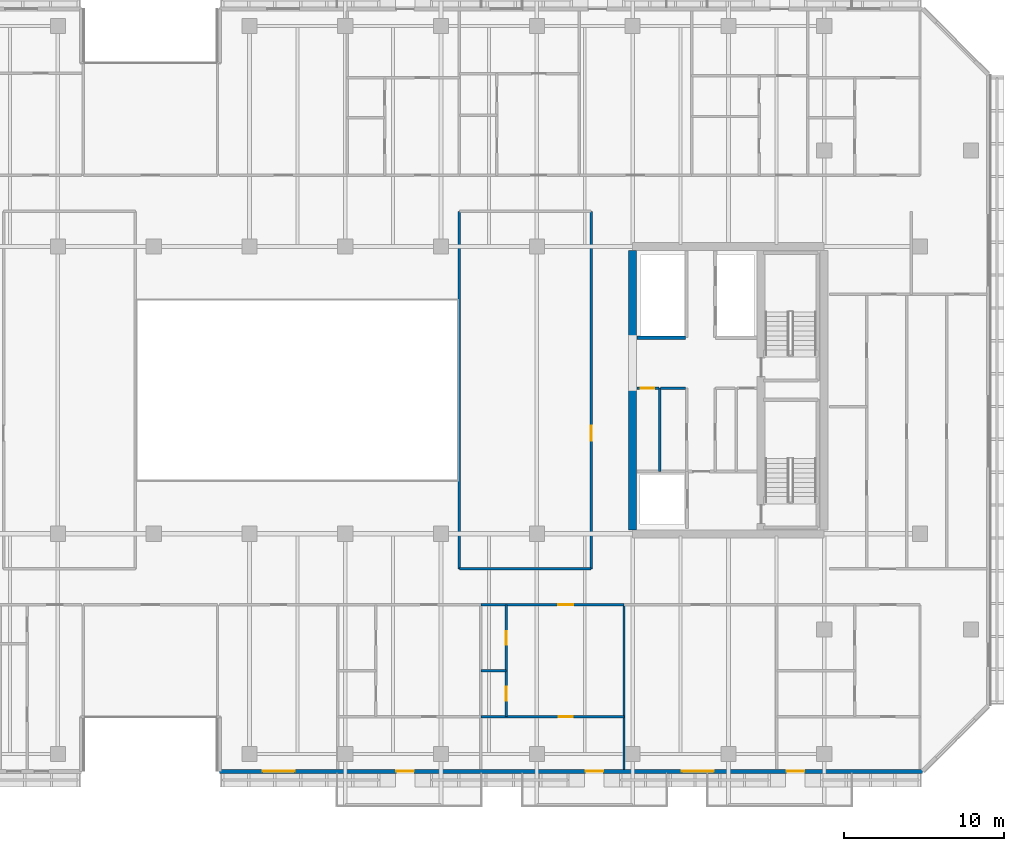
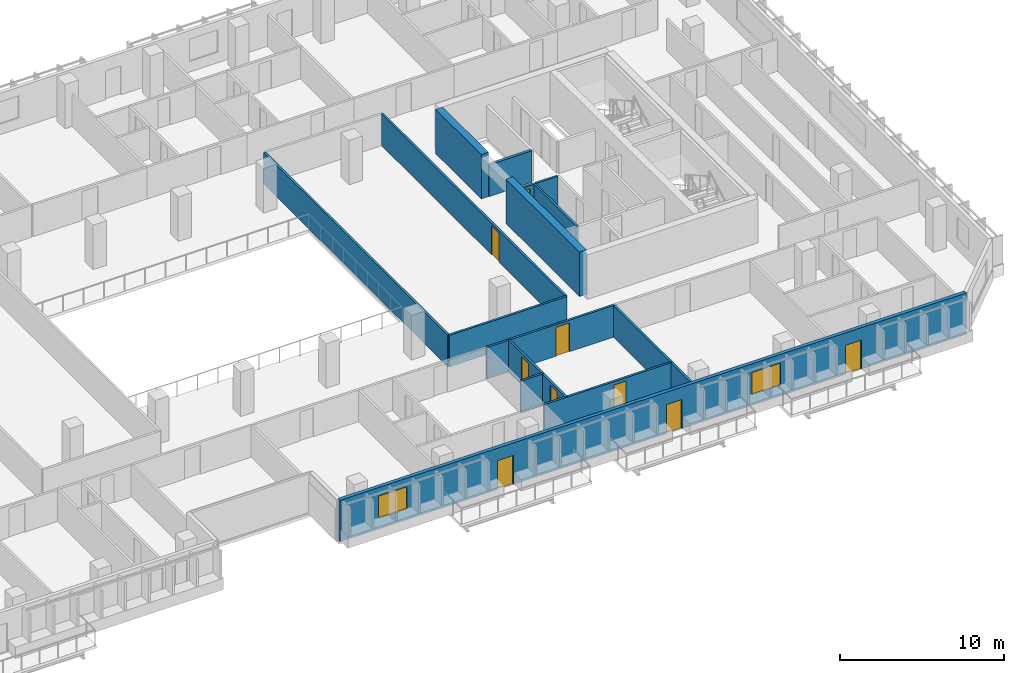
# One storey, part 12 of 23: 15 walls, 9 doors, 2 windows, 11 openings.
"""IFC4 building model written with IfcOpenShell, lengths in metres."""

from ifc_helpers import new_model, si_unit, direction, frame, frame_2d, origin, place, context, subcontext, project, spatial, rectangle, extrude, material, layer, layer_set, type_object, element, fill, save


model = new_model("IFC4")

# Units and contexts
model_context = context("Model", 3, precision=1e-05, world=origin(), true_north=direction((0.0, 1.0)))
body_context = subcontext(model_context, "Body", "Model", "MODEL_VIEW")
ifc_project = project(units=[si_unit("LENGTHUNIT", "METRE"), si_unit("AREAUNIT", "SQUARE_METRE"), si_unit("VOLUMEUNIT", "CUBIC_METRE"), si_unit("PLANEANGLEUNIT", "RADIAN"), si_unit("MASSUNIT", "GRAM", prefix="KILO")], contexts=[model_context])

# Site, building, storey
site_placement = place(None, origin())
site = spatial("IfcSite", under=ifc_project, at=site_placement, CompositionType="ELEMENT")
building_placement = place(site_placement, origin())
building = spatial("IfcBuilding", under=site, at=building_placement, Name="Tanjung Sevakor Pilgrim Tower", CompositionType="ELEMENT")
storey_placement = place(building_placement, frame((0.0, 0.0, 105.27001953125)))
storey = spatial("IfcBuildingStorey", under=building, at=storey_placement, Name="L29", CompositionType="ELEMENT", Elevation=105.27001953125)

# Walls
ifc_material_1 = material(Name="Concrete C60/75", Category="concrete")
ifc_layer_1 = layer(ifc_material_1, 0.5)
ifc_layer_set_1 = layer_set([ifc_layer_1], Name="WALL-CW-500")
wall_type_1 = type_object("IfcWallType", Name="WALL-CW-500", PredefinedType="SHEAR", material=ifc_layer_set_1)
wall_1_placement = place(storey_placement, frame((78.0, 24.85009765625, 0.0), z_axis=(0.0, 0.0, 1.0), x_axis=(0.0, 1.0, 0.0)))
element("IfcWall", 1, at=wall_1_placement, inside=storey, type_object=wall_type_1, Name="L29 E Core Inner Shear Wall South", PredefinedType="SHEAR", context=body_context, shape_type="SweptSolid", body=[
    extrude(rectangle(XDim=8.949951171875, YDim=0.5, at=frame_2d((4.47509765625, 0.0))), origin(), (0.0, 0.0, 1.0), 3.300048828125),
])
wall_2_placement = place(storey_placement, frame((78.0, 36.800048828125, 0.0), z_axis=(0.0, 0.0, 1.0), x_axis=(0.0, 1.0, 0.0)))
element("IfcWall", 2, at=wall_2_placement, inside=storey, type_object=wall_type_1, Name="L29 E Core Inner Shear Wall North", PredefinedType="SHEAR", context=body_context, shape_type="SweptSolid", body=[
    extrude(rectangle(XDim=5.550048828125, YDim=0.5, at=frame_2d((2.77490234375, 0.0))), origin(), (0.0, 0.0, 1.0), 3.300048828125),
])
ifc_material_2 = material(Name="Concrete C40/50", Category="concrete")
ifc_layer_2 = layer(ifc_material_2, 0.14990234375)
ifc_layer_set_2 = layer_set([ifc_layer_2], Name="WT-COMP-150")
wall_type_2 = type_object("IfcWallType", Name="WT-COMP-150", PredefinedType="SOLIDWALL", material=ifc_layer_set_2)
wall_3_placement = place(storey_placement, frame((79.699951171875, 28.5, 0.0), z_axis=(0.0, 0.0, 1.0), x_axis=(0.0, 1.0, 0.0)))
element("IfcWall", 3, at=wall_3_placement, inside=storey, type_object=wall_type_2, Name="L29 Partition IW-L29-021", PredefinedType="SOLIDWALL", context=body_context, shape_type="SweptSolid", body=[
    extrude(rectangle(XDim=5.219970703125, YDim=0.14990234375, at=frame_2d((2.60986328125, 0.0))), origin(), (0.0, 0.0, 1.0), 2.35009765625),
])
wall_4_placement = place(storey_placement, frame((79.760009765625, 33.719970703125, 0.0), z_axis=(0.0, 0.0, 1.0), x_axis=(1.0, 0.0, 0.0)))
element("IfcWall", 4, at=wall_4_placement, inside=storey, type_object=wall_type_2, Name="L29 Partition IW-L29-022", PredefinedType="SOLIDWALL", context=body_context, shape_type="SweptSolid", body=[
    extrude(rectangle(XDim=1.56005859375, YDim=0.14990234375, at=frame_2d((0.780029296875, 0.0))), origin(), (0.0, 0.0, 1.0), 2.35009765625),
])

# Wall, opening, door
wall_5_placement = place(storey_placement, frame((78.27001953125, 33.719970703125, 0.0), z_axis=(0.0, 0.0, 1.0), x_axis=(1.0, 0.0, 0.0)))
wall_5 = element("IfcWall", 5, at=wall_5_placement, inside=storey, type_object=wall_type_2, Name="L29 Partition IW-L29-023", PredefinedType="SOLIDWALL", context=body_context, shape_type="SweptSolid", body=[
    extrude(rectangle(XDim=1.369873046875, YDim=0.14990234375, at=frame_2d((0.68505859375, 0.0))), origin(), (0.0, 0.0, 1.0), 2.35009765625),
])
opening_1_placement = place(wall_5_placement, frame((0.239990234375, 0.0, 0.0)))
opening_1 = element("IfcOpeningElement", 6, at=opening_1_placement, cuts=wall_5, Name="Opening ID-FD3", PredefinedType="OPENING", context=body_context, shape_type="SweptSolid", body=[
    extrude(rectangle(XDim=0.85009765625, YDim=2.10009765625, at=frame_2d((0.425048828125, 1.050048828125))), frame((0.0, 0.0849609375, 0.0), z_axis=(0.0, -1.0, 0.0), x_axis=(1.0, 0.0, 0.0)), (0.0, 0.0, 1.0), 0.169921875),
])
ifc_material_3 = material(Name="Fire-Rated Timber", Category="wood")
door_type_1 = type_object("IfcDoorType", Name="DT-FIRE-850", OperationType="NOTDEFINED", PredefinedType="DOOR", material=ifc_material_3)
door_1_placement = place(opening_1_placement, origin())
door_1 = element("IfcDoor", 7, at=door_1_placement, inside=storey, type_object=door_type_1, Name="L29 Service Store Door", OperationType="SINGLE_SWING_LEFT", OverallHeight=2.10009765625, OverallWidth=0.85009765625, PredefinedType="DOOR", context=body_context, shape_type="SweptSolid", body=[
    extrude(rectangle(XDim=0.85009765625, YDim=2.10009765625, at=frame_2d((0.425048828125, 1.050048828125))), frame((0.0, 0.02490234375, 0.0), z_axis=(0.0, -1.0, 0.0), x_axis=(1.0, 0.0, 0.0)), (0.0, 0.0, 1.0), 0.050048828125),
])
fill(opening_1, door_1)

# Walls
wall_6_placement = place(storey_placement, frame((67.14990234375, 22.39990234375, 0.0), z_axis=(0.0, 0.0, 1.0), x_axis=(1.0, 0.0, 0.0)))
element("IfcWall", 8, at=wall_6_placement, inside=storey, type_object=wall_type_2, Name="L29 Partition IW-L29-033", PredefinedType="SOLIDWALL", context=body_context, shape_type="SweptSolid", body=[
    extrude(rectangle(XDim=8.25, YDim=0.14990234375, at=frame_2d((4.125, 0.0))), origin(), (0.0, 0.0, 1.0), 2.35009765625),
])
wall_7_placement = place(storey_placement, frame((67.14990234375, 22.39990234375, 0.0), z_axis=(0.0, 0.0, 1.0), x_axis=(0.0, 1.0, 0.0)))
element("IfcWall", 9, at=wall_7_placement, inside=storey, type_object=wall_type_2, Name="L29 Partition IW-L29-035", PredefinedType="SOLIDWALL", context=body_context, shape_type="SweptSolid", body=[
    extrude(rectangle(XDim=22.400146484375, YDim=0.14990234375, at=frame_2d((11.2001953125, 0.0))), origin(), (0.0, 0.0, 1.0), 2.35009765625),
])

# Wall, opening, door
wall_8_placement = place(storey_placement, frame((75.39990234375, 22.39990234375, 0.0), z_axis=(0.0, 0.0, 1.0), x_axis=(0.0, 1.0, 0.0)))
wall_8 = element("IfcWall", 10, at=wall_8_placement, inside=storey, type_object=wall_type_2, Name="L29 Partition IW-L29-036", PredefinedType="SOLIDWALL", context=body_context, shape_type="SweptSolid", body=[
    extrude(rectangle(XDim=22.400146484375, YDim=0.14990234375, at=frame_2d((11.2001953125, 0.0))), origin(), (0.0, 0.0, 1.0), 2.35009765625),
])
opening_2_placement = place(wall_8_placement, frame((8.02490234375, 0.0, 0.0)))
opening_2 = element("IfcOpeningElement", 11, at=opening_2_placement, cuts=wall_8, Name="Opening ID-RM1", PredefinedType="OPENING", context=body_context, shape_type="SweptSolid", body=[
    extrude(rectangle(XDim=0.949951171875, YDim=2.14990234375, at=frame_2d((0.47509765625, 1.074951171875))), frame((0.0, 0.0849609375, 0.0), z_axis=(0.0, -1.0, 0.0), x_axis=(1.0, 0.0, 0.0)), (0.0, 0.0, 1.0), 0.169921875),
])
ifc_material_4 = material(Name="Hardwood Timber", Category="wood")
door_type_2 = type_object("IfcDoorType", Name="DT-INT-950", OperationType="NOTDEFINED", PredefinedType="DOOR", material=ifc_material_4)
door_2_placement = place(opening_2_placement, origin())
door_2 = element("IfcDoor", 12, at=door_2_placement, inside=storey, type_object=door_type_2, Name="L29 Central East Room Door", OperationType="SINGLE_SWING_RIGHT", OverallHeight=2.14990234375, OverallWidth=0.949951171875, PredefinedType="DOOR", context=body_context, shape_type="SweptSolid", body=[
    extrude(rectangle(XDim=0.949951171875, YDim=2.14990234375, at=frame_2d((0.47509765625, 1.074951171875))), frame((0.0, 0.02490234375, 0.0), z_axis=(0.0, -1.0, 0.0), x_axis=(1.0, 0.0, 0.0)), (0.0, 0.0, 1.0), 0.050048828125),
])
fill(opening_2, door_2)

# Wall
wall_9_placement = place(storey_placement, frame((77.458984375, 9.85009765625, 0.0), z_axis=(0.0, 0.0, 1.0), x_axis=(0.0, 1.0, 0.0)))
element("IfcWall", 13, at=wall_9_placement, inside=storey, type_object=wall_type_2, Name="L29 Partition IW-L29-069", PredefinedType="SOLIDWALL", context=body_context, shape_type="SweptSolid", body=[
    extrude(rectangle(XDim=10.2998046875, YDim=0.14990234375, at=frame_2d((5.14990234375, 0.0))), origin(), (0.0, 0.0, 1.0), 2.35009765625),
])

# Wall, opening, door
wall_10_placement = place(storey_placement, frame((68.497802734375, 20.14990234375, 0.0), z_axis=(0.0, 0.0, 1.0), x_axis=(1.0, 0.0, 0.0)))
wall_10 = element("IfcWall", 14, at=wall_10_placement, inside=storey, type_object=wall_type_2, Name="L29 Partition IW-L29-073", PredefinedType="SOLIDWALL", context=body_context, shape_type="SweptSolid", body=[
    extrude(rectangle(XDim=8.961181640625, YDim=0.14990234375, at=frame_2d((4.48046875, 0.0))), origin(), (0.0, 0.0, 1.0), 2.35009765625),
])
opening_3_placement = place(wall_10_placement, frame((4.8369140625, 0.0, 0.0)))
opening_3 = element("IfcOpeningElement", 15, at=opening_3_placement, cuts=wall_10, Name="Opening ID-FD2", PredefinedType="OPENING", context=body_context, shape_type="SweptSolid", body=[
    extrude(rectangle(XDim=0.949951171875, YDim=2.14990234375, at=frame_2d((0.47509765625, 1.074951171875))), frame((0.0, 0.0849609375, 0.0), z_axis=(0.0, -1.0, 0.0), x_axis=(1.0, 0.0, 0.0)), (0.0, 0.0, 1.0), 0.169921875),
])
ifc_material_5 = material(Name="Fire-Rated Timber", Category="wood")
door_type_3 = type_object("IfcDoorType", Name="DT-FIRE-950", OperationType="NOTDEFINED", PredefinedType="DOOR", material=ifc_material_5)
door_3_placement = place(opening_3_placement, origin())
door_3 = element("IfcDoor", 16, at=door_3_placement, inside=storey, type_object=door_type_3, Name="Residence Entrance", OperationType="SINGLE_SWING_LEFT", OverallHeight=2.14990234375, OverallWidth=0.949951171875, PredefinedType="DOOR", context=body_context, shape_type="SweptSolid", body=[
    extrude(rectangle(XDim=0.949951171875, YDim=2.14990234375, at=frame_2d((0.47509765625, 1.074951171875))), frame((0.0, 0.02490234375, 0.0), z_axis=(0.0, -1.0, 0.0), x_axis=(1.0, 0.0, 0.0)), (0.0, 0.0, 1.0), 0.050048828125),
])
fill(opening_3, door_3)

# Wall, openings, doors, windows
ifc_material_6 = material(Name="Precast concrete C45/55", Category="concrete")
ifc_layer_3 = layer(ifc_material_6, 0.25)
ifc_layer_set_3 = layer_set([ifc_layer_3], Name="WT-EW-STN3")
wall_type_3 = type_object("IfcWallType", Name="WT-EW-STN3", PredefinedType="SOLIDWALL", material=ifc_layer_set_3)
wall_11_placement = place(storey_placement, frame((52.125, 9.72509765625, 0.0), z_axis=(0.0, 0.0, 1.0), x_axis=(1.0, 0.0, 0.0)))
wall_11 = element("IfcWall", 17, at=wall_11_placement, inside=storey, type_object=wall_type_3, Name="L29 MAIN Exterior Wall 5", PredefinedType="SOLIDWALL", context=body_context, shape_type="SweptSolid", body=[
    extrude(rectangle(XDim=44.023193359375, YDim=0.25, at=frame_2d((22.01171875, 0.0))), origin(), (0.0, 0.0, 1.0), 3.080078125),
])
opening_4_placement = place(wall_11_placement, frame((11.074951171875, 0.0, 0.0)))
opening_4 = element("IfcOpeningElement", 18, at=opening_4_placement, cuts=wall_11, Name="Opening ED-BAL-1100", PredefinedType="OPENING", context=body_context, shape_type="SweptSolid", body=[
    extrude(rectangle(XDim=1.10009765625, YDim=2.14990234375, at=frame_2d((0.550048828125, 1.074951171875))), frame((0.0, 0.135009765625, 0.0), z_axis=(0.0, -1.0, 0.0), x_axis=(1.0, 0.0, 0.0)), (0.0, 0.0, 1.0), 0.27001953125),
])
opening_5_placement = place(wall_11_placement, frame((22.925048828125, 0.0, 0.0)))
opening_5 = element("IfcOpeningElement", 19, at=opening_5_placement, cuts=wall_11, Name="Opening ED-BAL-1100", PredefinedType="OPENING", context=body_context, shape_type="SweptSolid", body=[
    extrude(rectangle(XDim=1.10009765625, YDim=2.14990234375, at=frame_2d((0.550048828125, 1.074951171875))), frame((0.0, 0.135009765625, 0.0), z_axis=(0.0, -1.0, 0.0), x_axis=(1.0, 0.0, 0.0)), (0.0, 0.0, 1.0), 0.27001953125),
])
opening_6_placement = place(wall_11_placement, frame((35.52490234375, 0.0, 0.0)))
opening_6 = element("IfcOpeningElement", 20, at=opening_6_placement, cuts=wall_11, Name="Opening ED-BAL-1100", PredefinedType="OPENING", context=body_context, shape_type="SweptSolid", body=[
    extrude(rectangle(XDim=1.10009765625, YDim=2.14990234375, at=frame_2d((0.550048828125, 1.074951171875))), frame((0.0, 0.135009765625, 0.0), z_axis=(0.0, -1.0, 0.0), x_axis=(1.0, 0.0, 0.0)), (0.0, 0.0, 1.0), 0.27001953125),
])
opening_7_placement = place(wall_11_placement, frame((2.703125, 0.0, 0.780029296875)))
opening_7 = element("IfcOpeningElement", 21, at=opening_7_placement, cuts=wall_11, Name="Opening WN-Z2-1660", PredefinedType="OPENING", context=body_context, shape_type="SweptSolid", body=[
    extrude(rectangle(XDim=2.0, YDim=1.659912109375, at=frame_2d((1.0, 0.830078125))), frame((0.0, 0.135009765625, 0.0), z_axis=(0.0, -1.0, 0.0), x_axis=(1.0, 0.0, 0.0)), (0.0, 0.0, 1.0), 0.27001953125),
])
opening_8_placement = place(wall_11_placement, frame((28.9638671875, 0.0, 0.780029296875)))
opening_8 = element("IfcOpeningElement", 22, at=opening_8_placement, cuts=wall_11, Name="Opening WN-Z2-1660", PredefinedType="OPENING", context=body_context, shape_type="SweptSolid", body=[
    extrude(rectangle(XDim=2.0, YDim=1.659912109375, at=frame_2d((1.0, 0.830078125))), frame((0.0, 0.135009765625, 0.0), z_axis=(0.0, -1.0, 0.0), x_axis=(1.0, 0.0, 0.0)), (0.0, 0.0, 1.0), 0.27001953125),
])
ifc_material_7 = material(Name="Anodised Aluminium and Laminated Glass", Category="aluminium")
door_type_4 = type_object("IfcDoorType", Name="DTYP-ED-BAL-1100", OperationType="NOTDEFINED", PredefinedType="DOOR", material=ifc_material_7)
door_4_placement = place(opening_4_placement, frame((1.10009765625, 0.0, 0.0), z_axis=(0.0, 0.0, 1.0), x_axis=(-1.0, 0.0, 0.0)))
door_4 = element("IfcDoor", 23, at=door_4_placement, inside=storey, type_object=door_type_4, Name="L29 Balcony Door MAIN-S2", OperationType="SINGLE_SWING_LEFT", OverallHeight=2.14990234375, OverallWidth=1.10009765625, PredefinedType="DOOR", context=body_context, shape_type="SweptSolid", body=[
    extrude(rectangle(XDim=1.10009765625, YDim=2.14990234375, at=frame_2d((0.550048828125, 1.074951171875))), frame((0.0, 0.02490234375, 0.0), z_axis=(0.0, -1.0, 0.0), x_axis=(1.0, 0.0, 0.0)), (0.0, 0.0, 1.0), 0.050048828125),
])
fill(opening_4, door_4)
door_5_placement = place(opening_5_placement, frame((1.10009765625, 0.0, 0.0), z_axis=(0.0, 0.0, 1.0), x_axis=(-1.0, 0.0, 0.0)))
door_5 = element("IfcDoor", 24, at=door_5_placement, inside=storey, type_object=door_type_4, Name="L29 Balcony Door MAIN-S3", OperationType="SINGLE_SWING_RIGHT", OverallHeight=2.14990234375, OverallWidth=1.10009765625, PredefinedType="DOOR", context=body_context, shape_type="SweptSolid", body=[
    extrude(rectangle(XDim=1.10009765625, YDim=2.14990234375, at=frame_2d((0.550048828125, 1.074951171875))), frame((0.0, 0.02490234375, 0.0), z_axis=(0.0, -1.0, 0.0), x_axis=(1.0, 0.0, 0.0)), (0.0, 0.0, 1.0), 0.050048828125),
])
fill(opening_5, door_5)
door_6_placement = place(opening_6_placement, frame((1.10009765625, 0.0, 0.0), z_axis=(0.0, 0.0, 1.0), x_axis=(-1.0, 0.0, 0.0)))
door_6 = element("IfcDoor", 25, at=door_6_placement, inside=storey, type_object=door_type_4, Name="L29 Balcony Door MAIN-S4", OperationType="SINGLE_SWING_LEFT", OverallHeight=2.14990234375, OverallWidth=1.10009765625, PredefinedType="DOOR", context=body_context, shape_type="SweptSolid", body=[
    extrude(rectangle(XDim=1.10009765625, YDim=2.14990234375, at=frame_2d((0.550048828125, 1.074951171875))), frame((0.0, 0.02490234375, 0.0), z_axis=(0.0, -1.0, 0.0), x_axis=(1.0, 0.0, 0.0)), (0.0, 0.0, 1.0), 0.050048828125),
])
fill(opening_6, door_6)
ifc_material_8 = material(Name="Thermally Broken Aluminium and Low-E Glass", Category="aluminium")
window_type = type_object("IfcWindowType", Name="WTYP-WN-Z2-1660", PartitioningType="DOUBLE_PANEL_VERTICAL", PredefinedType="WINDOW", material=ifc_material_8)
window_1_placement = place(opening_7_placement, origin())
window_1 = element("IfcWindow", 26, at=window_1_placement, inside=storey, type_object=window_type, Name="L29 Facade Window 01", OverallHeight=1.659912109375, OverallWidth=2.0, PartitioningType="SINGLE_PANEL", PredefinedType="WINDOW", context=body_context, shape_type="SweptSolid", body=[
    extrude(rectangle(XDim=2.0, YDim=1.659912109375, at=frame_2d((1.0, 0.830078125))), frame((0.0, 0.030029296875, 0.0), z_axis=(0.0, -1.0, 0.0), x_axis=(1.0, 0.0, 0.0)), (0.0, 0.0, 1.0), 0.06005859375),
])
fill(opening_7, window_1)
window_2_placement = place(opening_8_placement, origin())
window_2 = element("IfcWindow", 27, at=window_2_placement, inside=storey, type_object=window_type, Name="L29 Facade Window 02", OverallHeight=1.659912109375, OverallWidth=2.0, PartitioningType="SINGLE_PANEL", PredefinedType="WINDOW", context=body_context, shape_type="SweptSolid", body=[
    extrude(rectangle(XDim=2.0, YDim=1.659912109375, at=frame_2d((1.0, 0.830078125))), frame((0.0, 0.030029296875, 0.0), z_axis=(0.0, -1.0, 0.0), x_axis=(1.0, 0.0, 0.0)), (0.0, 0.0, 1.0), 0.06005859375),
])
fill(opening_8, window_2)

# Walls
ifc_material_9 = material(Name="Concrete C40/50", Category="concrete")
ifc_layer_4 = layer(ifc_material_9, 0.199951171875)
ifc_layer_set_4 = layer_set([ifc_layer_4], Name="WT-FPRT-200")
wall_type_4 = type_object("IfcWallType", Name="WT-FPRT-200", PredefinedType="SOLIDWALL", material=ifc_layer_set_4)
wall_12_placement = place(storey_placement, frame((78.27001953125, 36.8798828125, 0.0), z_axis=(0.0, 0.0, 1.0), x_axis=(1.0, 0.0, 0.0)))
element("IfcWall", 28, at=wall_12_placement, inside=storey, type_object=wall_type_4, Name="L29 Partition IW-L29-027", PredefinedType="SOLIDWALL", context=body_context, shape_type="SweptSolid", body=[
    extrude(rectangle(XDim=3.050048828125, YDim=0.199951171875, at=frame_2d((1.52490234375, 0.0))), origin(), (0.0, 0.0, 1.0), 2.35009765625),
])
ifc_material_10 = material(Name="Gypsum Board Partition", Category="gypsum board")
ifc_layer_5 = layer(ifc_material_10, 0.14990234375)
ifc_layer_set_5 = layer_set([ifc_layer_5], Name="WT-PART-150")
wall_type_5 = type_object("IfcWallType", Name="WT-PART-150", PredefinedType="PARTITIONING", material=ifc_layer_set_5)
wall_13_placement = place(storey_placement, frame((68.497802734375, 16.01513671875, 0.0), z_axis=(0.0, 0.0, 1.0), x_axis=(1.0, 0.0, 0.0)))
element("IfcWall", 29, at=wall_13_placement, inside=storey, type_object=wall_type_5, Name="L29 Partition IW-L29-070", PredefinedType="PARTITIONING", context=body_context, shape_type="SweptSolid", body=[
    extrude(rectangle(XDim=1.582275390625, YDim=0.14990234375, at=frame_2d((0.791015625, 0.0))), origin(), (0.0, 0.0, 1.0), 2.35009765625),
])

# Wall, openings, doors
wall_14_placement = place(storey_placement, frame((70.080078125, 13.141845703125, 0.0), z_axis=(0.0, 0.0, 1.0), x_axis=(0.0, 1.0, 0.0)))
wall_14 = element("IfcWall", 30, at=wall_14_placement, inside=storey, type_object=wall_type_5, Name="L29 Partition IW-L29-071", PredefinedType="PARTITIONING", context=body_context, shape_type="SweptSolid", body=[
    extrude(rectangle(XDim=7.008056640625, YDim=0.14990234375, at=frame_2d((3.50390625, 0.0))), origin(), (0.0, 0.0, 1.0), 2.35009765625),
])
opening_9_placement = place(wall_14_placement, frame((1.01171875, 0.0, 0.0)))
opening_9 = element("IfcOpeningElement", 31, at=opening_9_placement, cuts=wall_14, Name="Opening ID-WC1", PredefinedType="OPENING", context=body_context, shape_type="SweptSolid", body=[
    extrude(rectangle(XDim=0.85009765625, YDim=2.10009765625, at=frame_2d((0.425048828125, 1.050048828125))), frame((0.0, 0.0849609375, 0.0), z_axis=(0.0, -1.0, 0.0), x_axis=(1.0, 0.0, 0.0)), (0.0, 0.0, 1.0), 0.169921875),
])
opening_10_placement = place(wall_14_placement, frame((4.515625, 0.0, 0.0)))
opening_10 = element("IfcOpeningElement", 32, at=opening_10_placement, cuts=wall_14, Name="Opening ID-WC1", PredefinedType="OPENING", context=body_context, shape_type="SweptSolid", body=[
    extrude(rectangle(XDim=0.85009765625, YDim=2.10009765625, at=frame_2d((0.425048828125, 1.050048828125))), frame((0.0, 0.0849609375, 0.0), z_axis=(0.0, -1.0, 0.0), x_axis=(1.0, 0.0, 0.0)), (0.0, 0.0, 1.0), 0.169921875),
])
ifc_material_11 = material(Name="Moisture-Resistant Timber", Category="wood")
door_type_5 = type_object("IfcDoorType", Name="DT-INT-850", OperationType="NOTDEFINED", PredefinedType="DOOR", material=ifc_material_11)
door_7_placement = place(opening_9_placement, origin())
door_7 = element("IfcDoor", 33, at=door_7_placement, inside=storey, type_object=door_type_5, Name="Residence Bathroom Door", OperationType="SINGLE_SWING_RIGHT", OverallHeight=2.10009765625, OverallWidth=0.85009765625, PredefinedType="DOOR", context=body_context, shape_type="SweptSolid", body=[
    extrude(rectangle(XDim=0.85009765625, YDim=2.10009765625, at=frame_2d((0.425048828125, 1.050048828125))), frame((0.0, 0.02490234375, 0.0), z_axis=(0.0, -1.0, 0.0), x_axis=(1.0, 0.0, 0.0)), (0.0, 0.0, 1.0), 0.050048828125),
])
fill(opening_9, door_7)
door_8_placement = place(opening_10_placement, origin())
door_8 = element("IfcDoor", 34, at=door_8_placement, inside=storey, type_object=door_type_5, Name="Residence Kitchenette Door", OperationType="SINGLE_SWING_LEFT", OverallHeight=2.10009765625, OverallWidth=0.85009765625, PredefinedType="DOOR", context=body_context, shape_type="SweptSolid", body=[
    extrude(rectangle(XDim=0.85009765625, YDim=2.10009765625, at=frame_2d((0.425048828125, 1.050048828125))), frame((0.0, 0.02490234375, 0.0), z_axis=(0.0, -1.0, 0.0), x_axis=(1.0, 0.0, 0.0)), (0.0, 0.0, 1.0), 0.050048828125),
])
fill(opening_10, door_8)

# Wall, opening, door
wall_15_placement = place(storey_placement, frame((68.497802734375, 13.141845703125, 0.0), z_axis=(0.0, 0.0, 1.0), x_axis=(1.0, 0.0, 0.0)))
wall_15 = element("IfcWall", 35, at=wall_15_placement, inside=storey, type_object=wall_type_5, Name="L29 Partition IW-L29-072", PredefinedType="PARTITIONING", context=body_context, shape_type="SweptSolid", body=[
    extrude(rectangle(XDim=8.961181640625, YDim=0.14990234375, at=frame_2d((4.48046875, 0.0))), origin(), (0.0, 0.0, 1.0), 2.35009765625),
])
opening_11_placement = place(wall_15_placement, frame((4.88671875, 0.0, 0.0)))
opening_11 = element("IfcOpeningElement", 36, at=opening_11_placement, cuts=wall_15, Name="Opening ID-WC1", PredefinedType="OPENING", context=body_context, shape_type="SweptSolid", body=[
    extrude(rectangle(XDim=0.85009765625, YDim=2.10009765625, at=frame_2d((0.425048828125, 1.050048828125))), frame((0.0, 0.0849609375, 0.0), z_axis=(0.0, -1.0, 0.0), x_axis=(1.0, 0.0, 0.0)), (0.0, 0.0, 1.0), 0.169921875),
])
door_9_placement = place(opening_11_placement, origin())
door_9 = element("IfcDoor", 37, at=door_9_placement, inside=storey, type_object=door_type_5, Name="Residence Bedroom Door", OperationType="SINGLE_SWING_RIGHT", OverallHeight=2.10009765625, OverallWidth=0.85009765625, PredefinedType="DOOR", context=body_context, shape_type="SweptSolid", body=[
    extrude(rectangle(XDim=0.85009765625, YDim=2.10009765625, at=frame_2d((0.425048828125, 1.050048828125))), frame((0.0, 0.02490234375, 0.0), z_axis=(0.0, -1.0, 0.0), x_axis=(1.0, 0.0, 0.0)), (0.0, 0.0, 1.0), 0.050048828125),
])
fill(opening_11, door_9)

save(model, "model.ifc")
